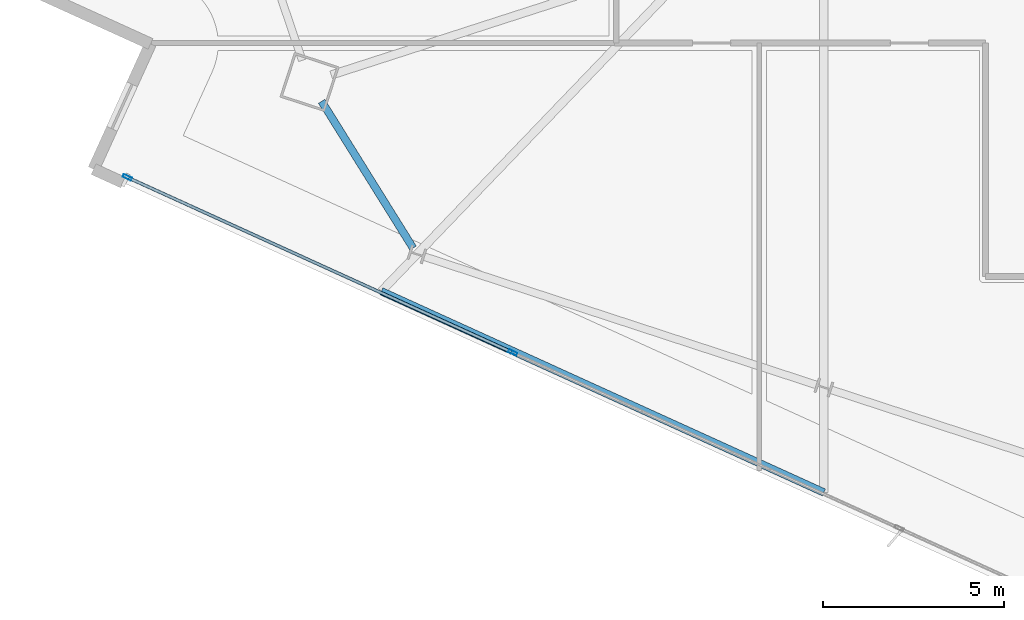
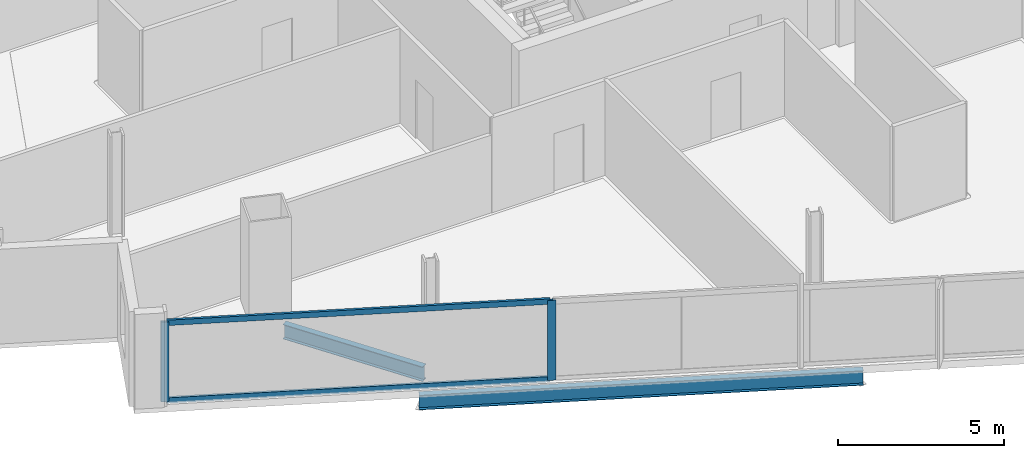
# One storey, part 2 of 26: 4 members, 2 beams, 1 element without a shape of its own.
"""IFC4 building model written with IfcOpenShell, lengths in metres."""

from ifc_helpers import new_model, si_unit, direction, frame, origin, origin_2d, place, context, subcontext, project, spatial, hollow_rectangle, i_section, extrude, material, material_profile, profile_set, type_object, element, aggregate, save


model = new_model("IFC4")

# Units and contexts
model_context = context("Model", 3, precision=1e-05, world=origin(), true_north=direction((0.0, 1.0)))
body_context = subcontext(model_context, "Body", "Model", "MODEL_VIEW")
ifc_project = project(units=[si_unit("LENGTHUNIT", "METRE"), si_unit("AREAUNIT", "SQUARE_METRE"), si_unit("VOLUMEUNIT", "CUBIC_METRE"), si_unit("PLANEANGLEUNIT", "RADIAN"), si_unit("MASSUNIT", "GRAM", prefix="KILO")], contexts=[model_context])

# Site, building, storey
site_placement = place(None, origin())
site = spatial("IfcSite", under=ifc_project, at=site_placement, CompositionType="ELEMENT")
building_placement = place(site_placement, origin())
building = spatial("IfcBuilding", under=site, at=building_placement, Name="Haldenkirk Collegiate Tower", CompositionType="ELEMENT")
storey_placement = place(building_placement, frame((0.0, 0.0, 248.699951171875)))
storey = spatial("IfcBuildingStorey", under=building, at=storey_placement, Name="L62", CompositionType="ELEMENT", Elevation=248.699951171875)

# Beams
ifc_material_1 = material(Name="Steel ASTM A992 Grade 50", Category="steel")
ifc_material_profile_1 = material_profile(ifc_material_1, i_section(OverallWidth=0.2099609375, OverallDepth=0.537109375, WebThickness=0.010986328125, FlangeThickness=0.017333984375, at=origin_2d()), Name="W21X68")
ifc_profile_set_1 = profile_set([ifc_material_profile_1], Name="Steel ASTM A992 Grade 50")
beam_type = type_object("IfcBeamType", Name="BM-SPANDREL-W21X68", PredefinedType="SPANDREL", material=ifc_profile_set_1)
beam_1_placement = place(storey_placement, frame((16.41064453125, 13.939697265625, -0.538330078125), z_axis=(0.528899826427, -0.848684260255, 0.0), x_axis=(0.848684260255, 0.528899826427, 0.0)))
element("IfcBeam", 1, at=beam_1_placement, inside=storey, type_object=beam_type, Name="L62 perimeter spandrel beam 13", PredefinedType="SPANDREL", context=body_context, shape_type="SweptSolid", body=[
    extrude(i_section(OverallWidth=0.2099609375, OverallDepth=0.537109375, WebThickness=0.010986328125, FlangeThickness=0.017333984375, at=origin_2d()), origin(), (0.0, 0.0, 1.0), 4.77392578125),
])
beam_2_placement = place(storey_placement, frame((18.06005859375, 8.693359375, -0.538330078125), z_axis=(0.910320393116, -0.413904314882, 0.0), x_axis=(0.413904314882, 0.910320393116, 0.0)))
element("IfcBeam", 2, at=beam_2_placement, inside=storey, type_object=beam_type, Name="L62 outer facade edge beam 4", PredefinedType="SPANDREL", context=body_context, shape_type="SweptSolid", body=[
    extrude(i_section(OverallWidth=0.2099609375, OverallDepth=0.537109375, WebThickness=0.010986328125, FlangeThickness=0.017333984375, at=origin_2d()), origin(), (0.0, 0.0, 1.0), 13.42724609375),
])

# Curtain wall, members
ifc_material_2 = material(Name="Anodised architectural bronze aluminium", Category="aluminium")
curtain_wall_type = type_object("IfcCurtainWallType", Name="CW-SYS1B-CONVEX-HI", PredefinedType="USERDEFINED", material=ifc_material_2)
curtain_wall_placement = place(storey_placement, origin())
curtain_wall = element("IfcCurtainWall", 3, at=curtain_wall_placement, inside=storey, type_object=curtain_wall_type, Name="L62 Upper tower high-wind convex bronze unitised curtain wall", ObjectType="UNITISED CURTAIN WALL", PredefinedType="USERDEFINED")
ifc_material_profile_2 = material_profile(ifc_material_2, hollow_rectangle(XDim=0.0849609375, YDim=0.25, WallThickness=0.0048828125, at=origin_2d()), Name="CW-MUL-1B")
ifc_profile_set_2 = profile_set([ifc_material_profile_2], Name="Anodised architectural bronze aluminium")
member_type_1 = type_object("IfcMemberType", Name="CW-MUL-1B", PredefinedType="MULLION", material=ifc_profile_set_2)
member_1_placement = place(storey_placement, frame((21.68603515625, 7.000732421875, 0.0), z_axis=(0.0, 0.0, 1.0), x_axis=(-0.413897548196, -0.910323469761, 0.0)))
member_1 = element("IfcMember", 4, at=member_1_placement, type_object=member_type_1, Name="CW-1B mullion 3", PredefinedType="MULLION", context=body_context, shape_type="SweptSolid", body=[
    extrude(hollow_rectangle(XDim=0.0849609375, YDim=0.25, WallThickness=0.0048828125, at=origin_2d()), origin(), (0.0, 0.0, 1.0), 2.93798828125),
])
member_2_placement = place(storey_placement, frame((11.04345703125, 11.839599609375, 0.0), z_axis=(0.0, 0.0, 1.0), x_axis=(-0.413897548196, -0.910323469761, 0.0)))
member_2 = element("IfcMember", 5, at=member_2_placement, type_object=member_type_1, Name="CW-1B mullion 4", PredefinedType="MULLION", context=body_context, shape_type="SweptSolid", body=[
    extrude(hollow_rectangle(XDim=0.0849609375, YDim=0.25, WallThickness=0.0048828125, at=origin_2d()), origin(), (0.0, 0.0, 1.0), 2.93798828125),
])
ifc_material_profile_3 = material_profile(ifc_material_2, hollow_rectangle(XDim=0.0849609375, YDim=0.199951171875, WallThickness=0.0048828125, at=origin_2d()), Name="CW-TRN-1B")
ifc_profile_set_3 = profile_set([ifc_material_profile_3], Name="Anodised architectural bronze aluminium")
member_type_2 = type_object("IfcMemberType", Name="CW-TRN-1B", PredefinedType="USERDEFINED", material=ifc_profile_set_3)
member_3_placement = place(storey_placement, frame((21.647216796875, 7.018310546875, 0.04248046875), z_axis=(-0.910318923961, 0.413907546052, 0.0), x_axis=(-0.413907546052, -0.910318923961, 0.0)))
member_3 = element("IfcMember", 6, at=member_3_placement, type_object=member_type_2, Name="CW-1B transom 3.1", ObjectType="TRANSOM", PredefinedType="USERDEFINED", context=body_context, shape_type="SweptSolid", body=[
    extrude(hollow_rectangle(XDim=0.0849609375, YDim=0.199951171875, WallThickness=0.0048828125, at=origin_2d()), origin(), (0.0, 0.0, 1.0), 11.605712890625),
])
member_4_placement = place(storey_placement, frame((21.647216796875, 7.018310546875, 2.8955078125), z_axis=(-0.910318923961, 0.413907546052, 0.0), x_axis=(-0.413907546052, -0.910318923961, 0.0)))
member_4 = element("IfcMember", 7, at=member_4_placement, type_object=member_type_2, Name="CW-1B transom 3.2", ObjectType="TRANSOM", PredefinedType="USERDEFINED", context=body_context, shape_type="SweptSolid", body=[
    extrude(hollow_rectangle(XDim=0.0849609375, YDim=0.199951171875, WallThickness=0.0048828125, at=origin_2d()), origin(), (0.0, 0.0, 1.0), 11.605712890625),
])
aggregate(curtain_wall, [member_1, member_2, member_3, member_4])

save(model, "model.ifc")
